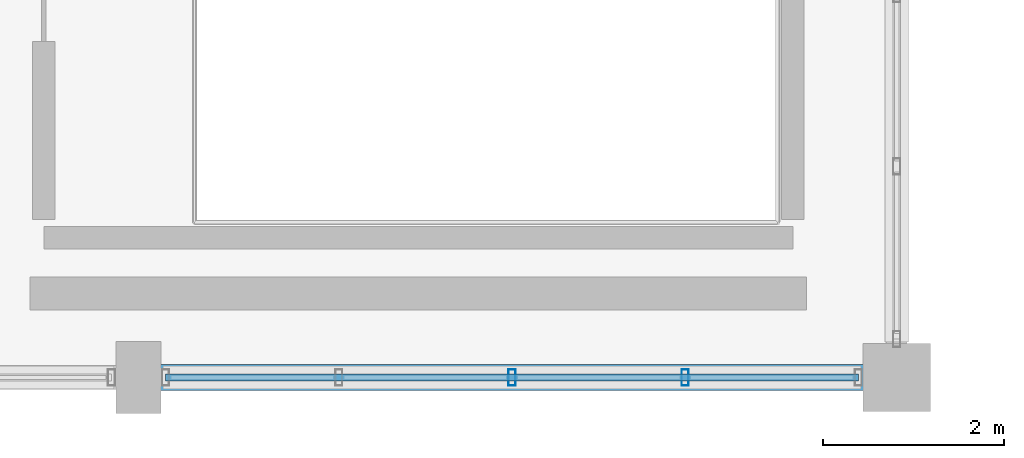
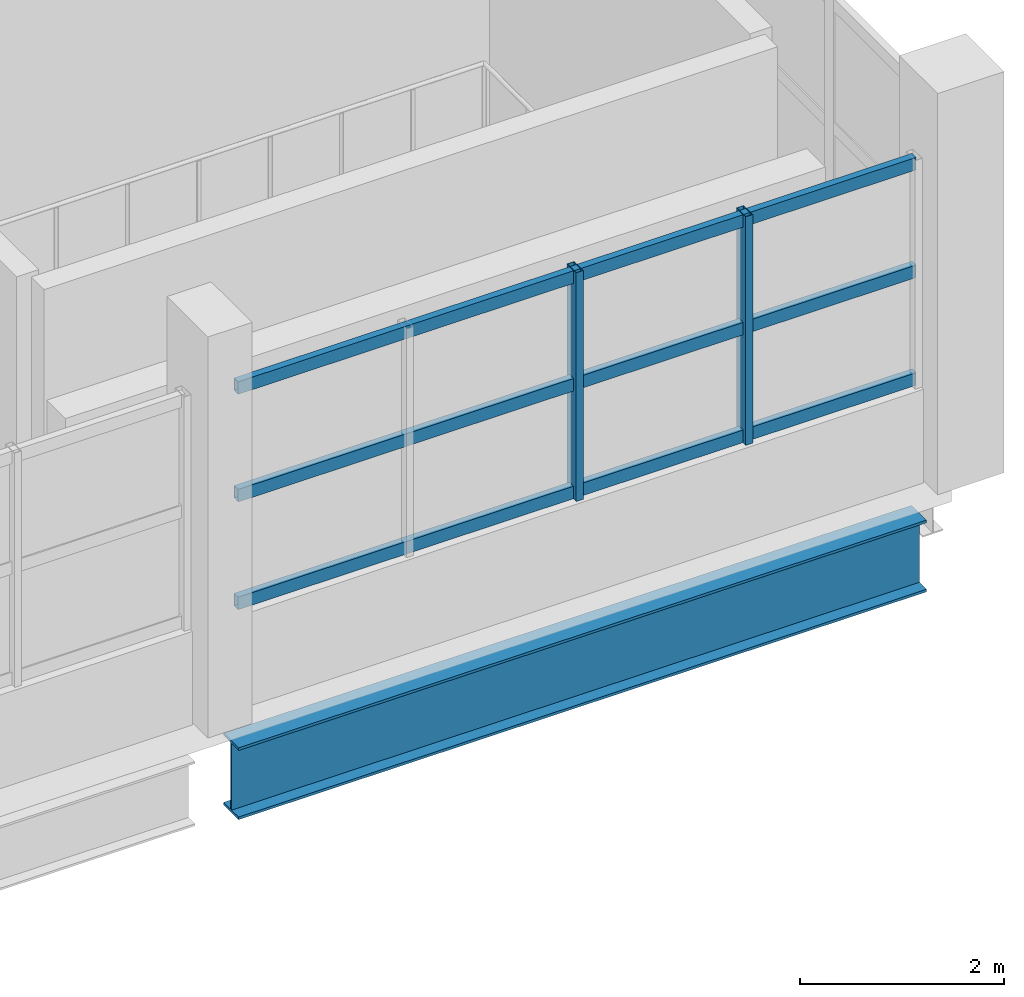
# One storey, part 41 of 77: 5 members, 1 beam, 1 element without a shape of its own.
"""IFC4 building model written with IfcOpenShell, lengths in metres."""

from ifc_helpers import new_model, si_unit, direction, frame, origin, origin_2d, place, context, subcontext, project, spatial, hollow_rectangle, i_section, extrude, material, material_profile, profile_set, type_object, element, aggregate, save


model = new_model("IFC4")

# Units and contexts
model_context = context("Model", 3, precision=1e-05, world=origin(), true_north=direction((0.0, 1.0)))
body_context = subcontext(model_context, "Body", "Model", "MODEL_VIEW")
ifc_project = project(units=[si_unit("LENGTHUNIT", "METRE"), si_unit("AREAUNIT", "SQUARE_METRE"), si_unit("VOLUMEUNIT", "CUBIC_METRE"), si_unit("PLANEANGLEUNIT", "RADIAN"), si_unit("MASSUNIT", "GRAM", prefix="KILO")], contexts=[model_context])

# Site, building, storey
site_placement = place(None, origin())
site = spatial("IfcSite", under=ifc_project, at=site_placement, CompositionType="ELEMENT")
building_placement = place(site_placement, origin())
building = spatial("IfcBuilding", under=site, at=building_placement, Name="Solvento Point Concert Hall", CompositionType="ELEMENT")
storey_placement = place(building_placement, frame((0.0, 0.0, 10.199951171875)))
storey = spatial("IfcBuildingStorey", under=building, at=storey_placement, Name="L02", CompositionType="ELEMENT", Elevation=10.199951171875)

# Beam
ifc_material_1 = material(Name="Structural Steel ASTM A992 Grade 50", Category="steel")
ifc_material_profile_1 = material_profile(ifc_material_1, i_section(OverallWidth=0.2919921875, OverallDepth=0.85888671875, WebThickness=0.01708984375, FlangeThickness=0.031005859375, at=origin_2d()), Name="W33X169")
ifc_profile_set_1 = profile_set([ifc_material_profile_1], Name="Structural Steel ASTM A992 Grade 50")
beam_type = type_object("IfcBeamType", Name="Girder_W33X169", PredefinedType="USERDEFINED", material=ifc_profile_set_1)
beam_placement = place(storey_placement, frame((200.64404296875, 0.0, -0.87353515625), z_axis=(1.0, 0.0, 0.0), x_axis=(0.0, 1.0, 0.0)))
element("IfcBeam", 1, at=beam_placement, inside=storey, type_object=beam_type, Name="Primary girder B-33 L02", ObjectType="GIRDER", PredefinedType="USERDEFINED", context=body_context, shape_type="SweptSolid", body=[
    extrude(i_section(OverallWidth=0.2919921875, OverallDepth=0.85888671875, WebThickness=0.01708984375, FlangeThickness=0.031005859375, at=origin_2d()), origin(), (0.0, 0.0, 1.0), 7.786865234375),
])

# Curtain wall, members
ifc_material_2 = material(Name="Anodized Bronze Aluminium", Category="aluminium")
curtain_wall_type = type_object("IfcCurtainWallType", Name="CurtainWall_ChamberCircle", PredefinedType="USERDEFINED", material=ifc_material_2)
curtain_wall_placement = place(storey_placement, origin())
curtain_wall = element("IfcCurtainWall", 2, at=curtain_wall_placement, inside=storey, type_object=curtain_wall_type, Name="Unitised curtain wall CW-32 UCW-L02-161", ObjectType="UNITISED CURTAIN WALL", PredefinedType="USERDEFINED")
ifc_material_3 = material(Name="Anodized Bronze Aluminium", Category="aluminium")
ifc_material_profile_2 = material_profile(ifc_material_3, hollow_rectangle(XDim=0.080078125, YDim=0.179931640625, WallThickness=0.00390625, at=origin_2d()), Name="CW-MUL-80X180")
ifc_profile_set_2 = profile_set([ifc_material_profile_2], Name="Anodized Bronze Aluminium")
member_type_1 = type_object("IfcMemberType", Name="Mullion_80x180", PredefinedType="MULLION", material=ifc_profile_set_2)
member_1_placement = place(storey_placement, frame((204.53759765625, 0.0, 1.1201171875), z_axis=(0.0, 0.0, 1.0), x_axis=(1.0, 0.0, 0.0)))
member_1 = element("IfcMember", 3, at=member_1_placement, type_object=member_type_1, Name="Curtain wall mullion ML-01", PredefinedType="MULLION", context=body_context, shape_type="SweptSolid", body=[
    extrude(hollow_rectangle(XDim=0.080078125, YDim=0.179931640625, WallThickness=0.00390625, at=origin_2d()), origin(), (0.0, 0.0, 1.0), 2.73681640625),
])
member_2_placement = place(storey_placement, frame((206.456298828125, 0.0, 1.1201171875), z_axis=(0.0, 0.0, 1.0), x_axis=(1.0, 0.0, 0.0)))
member_2 = element("IfcMember", 4, at=member_2_placement, type_object=member_type_1, Name="Curtain wall mullion ML-01", PredefinedType="MULLION", context=body_context, shape_type="SweptSolid", body=[
    extrude(hollow_rectangle(XDim=0.080078125, YDim=0.179931640625, WallThickness=0.00390625, at=origin_2d()), origin(), (0.0, 0.0, 1.0), 2.73681640625),
])
ifc_material_4 = material(Name="Anodized Bronze Aluminium", Category="aluminium")
ifc_material_profile_3 = material_profile(ifc_material_4, hollow_rectangle(XDim=0.080078125, YDim=0.14990234375, WallThickness=0.00390625, at=origin_2d()), Name="CW-TRN-80X150")
ifc_profile_set_3 = profile_set([ifc_material_profile_3], Name="Anodized Bronze Aluminium")
member_type_2 = type_object("IfcMemberType", Name="Transom_80x150", PredefinedType="USERDEFINED", material=ifc_profile_set_3)
member_3_placement = place(storey_placement, frame((200.699951171875, 0.0, 1.199951171875), z_axis=(1.0, 0.0, 0.0), x_axis=(0.0, 1.0, 0.0)))
member_3 = element("IfcMember", 5, at=member_3_placement, type_object=member_type_2, Name="Curtain wall transom TR-01", ObjectType="TRANSOM", PredefinedType="USERDEFINED", context=body_context, shape_type="SweptSolid", body=[
    extrude(hollow_rectangle(XDim=0.080078125, YDim=0.14990234375, WallThickness=0.00390625, at=origin_2d()), origin(), (0.0, 0.0, 1.0), 7.675048828125),
])
member_4_placement = place(storey_placement, frame((200.699951171875, 0.0, 2.488525390625), z_axis=(1.0, 0.0, 0.0), x_axis=(0.0, 1.0, 0.0)))
member_4 = element("IfcMember", 6, at=member_4_placement, type_object=member_type_2, Name="Curtain wall transom TR-01", ObjectType="TRANSOM", PredefinedType="USERDEFINED", context=body_context, shape_type="SweptSolid", body=[
    extrude(hollow_rectangle(XDim=0.080078125, YDim=0.14990234375, WallThickness=0.00390625, at=origin_2d()), origin(), (0.0, 0.0, 1.0), 7.675048828125),
])
member_5_placement = place(storey_placement, frame((200.699951171875, 0.0, 3.777099609375), z_axis=(1.0, 0.0, 0.0), x_axis=(0.0, 1.0, 0.0)))
member_5 = element("IfcMember", 7, at=member_5_placement, type_object=member_type_2, Name="Curtain wall transom TR-01", ObjectType="TRANSOM", PredefinedType="USERDEFINED", context=body_context, shape_type="SweptSolid", body=[
    extrude(hollow_rectangle(XDim=0.080078125, YDim=0.14990234375, WallThickness=0.00390625, at=origin_2d()), origin(), (0.0, 0.0, 1.0), 7.675048828125),
])
aggregate(curtain_wall, [member_1, member_2, member_3, member_4, member_5])

save(model, "model.ifc")
